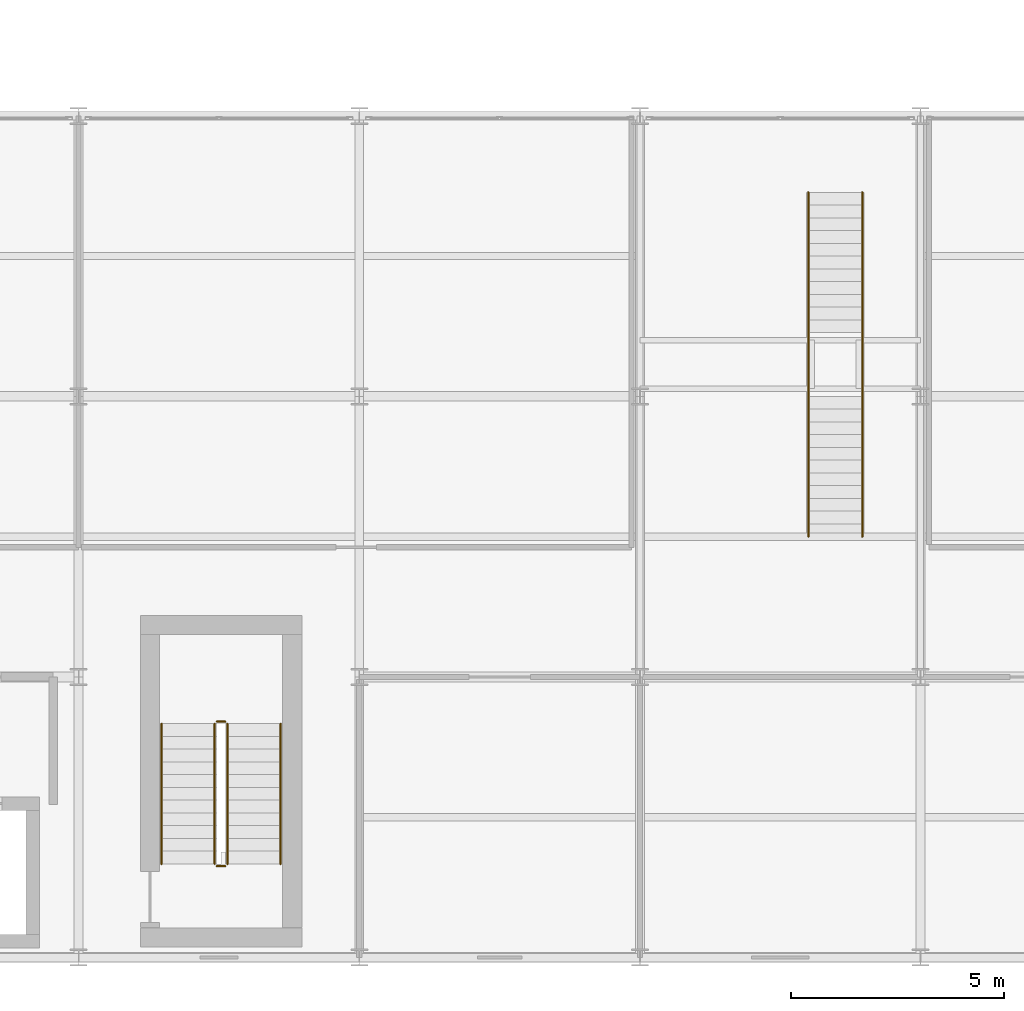
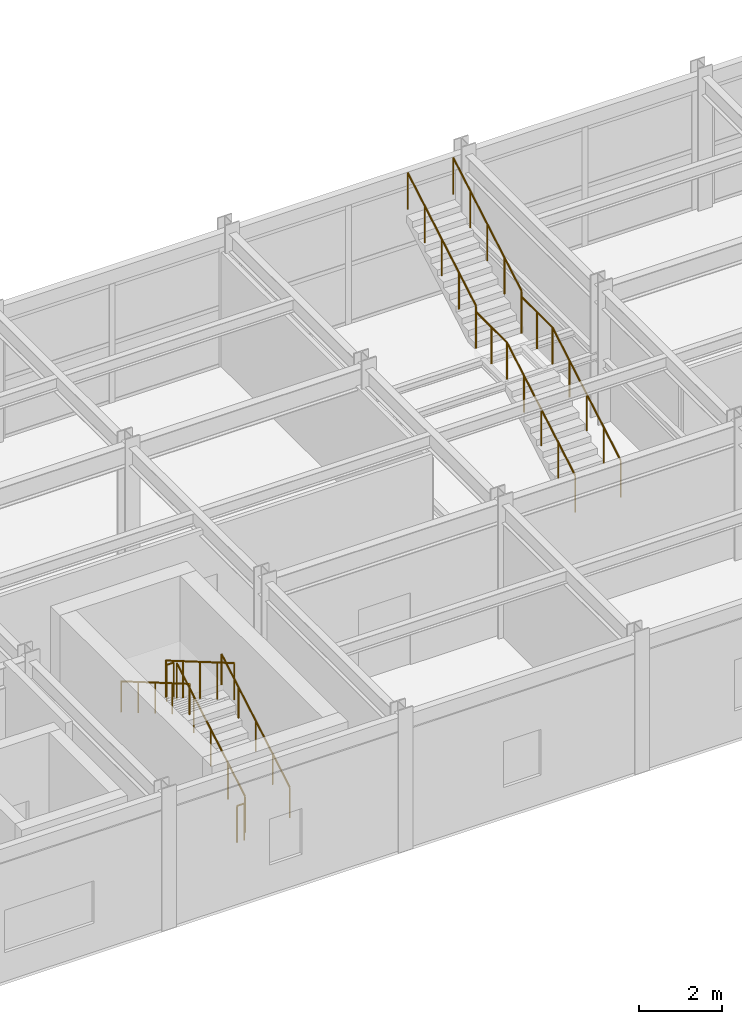
# One storey, part 156 of 157: 12 railings.
"""IFC4 building model written with IfcOpenShell, lengths in metres."""

from ifc_helpers import new_model, si_unit, direction, frame, origin, origin_2d, place, context, subcontext, project, spatial, circle, extrude, material, type_object, element, save


model = new_model("IFC4")

# Units and contexts
model_context = context("Model", 3, precision=1e-05, world=origin(), true_north=direction((0.0, 1.0)))
body_context = subcontext(model_context, "Body", "Model", "MODEL_VIEW")
ifc_project = project(units=[si_unit("LENGTHUNIT", "METRE"), si_unit("AREAUNIT", "SQUARE_METRE"), si_unit("VOLUMEUNIT", "CUBIC_METRE"), si_unit("PLANEANGLEUNIT", "RADIAN"), si_unit("MASSUNIT", "GRAM", prefix="KILO")], contexts=[model_context])

# Site, building, storey
site_placement = place(None, origin())
site = spatial("IfcSite", under=ifc_project, at=site_placement, CompositionType="ELEMENT")
building_placement = place(site_placement, origin())
building = spatial("IfcBuilding", under=site, at=building_placement, Name="Karori Crest Natural Sciences Institute", CompositionType="ELEMENT")
storey_placement = place(building_placement, frame((0.0, 0.0, 13.300048828125)))
storey = spatial("IfcBuildingStorey", under=building, at=storey_placement, Name="L03", CompositionType="ELEMENT", Elevation=13.300048828125)

# Railings
ifc_material_1 = material(Name="Stainless steel 316 tubular handrail", Category="steel")
railing_type_1 = type_object("IfcRailingType", Name="RLT-HND", PredefinedType="HANDRAIL", material=ifc_material_1)
railing_1_placement = place(storey_placement, frame((134.75, 3.0, 0.175048828125)))
element("IfcRailing", 1, at=railing_1_placement, inside=storey, type_object=railing_type_1, Name="Stair handrail RL-0188", PredefinedType="HANDRAIL", context=body_context, shape_type="SweptSolid", body=[
    extrude(circle(Radius=0.02392578125, at=origin_2d()), frame((0.0, 0.0, 0.90087890625), z_axis=(0.0, 0.863804395585, 0.503827317807), x_axis=(-1.0, 0.0, 0.0)), (0.0, 0.0, 1.0), 3.8203125),
    extrude(circle(Radius=0.02099609375, at=origin_2d()), origin(), (0.0, 0.0, 1.0), 0.876953125),
    extrude(circle(Radius=0.02099609375, at=origin_2d()), frame((0.0, 0.824951171875, 0.481201171875)), (0.0, 0.0, 1.0), 0.876953125),
    extrude(circle(Radius=0.02099609375, at=origin_2d()), frame((0.0, 1.64990234375, 0.96240234375)), (0.0, 0.0, 1.0), 0.876953125),
    extrude(circle(Radius=0.02099609375, at=origin_2d()), frame((0.0, 2.47509765625, 1.443603515625)), (0.0, 0.0, 1.0), 0.876953125),
    extrude(circle(Radius=0.02099609375, at=origin_2d()), frame((0.0, 3.300048828125, 1.9248046875)), (0.0, 0.0, 1.0), 0.876953125),
])
railing_2_placement = place(storey_placement, frame((131.949951171875, 6.300048828125, 2.27490234375)))
element("IfcRailing", 2, at=railing_2_placement, inside=storey, type_object=railing_type_1, Name="Stair handrail RL-0189", PredefinedType="HANDRAIL", context=body_context, shape_type="SweptSolid", body=[
    extrude(circle(Radius=0.02392578125, at=origin_2d()), frame((0.0, 0.0, 0.90087890625), z_axis=(0.0, -0.863776583165, 0.503874998761), x_axis=(1.0, 0.0, 0.0)), (0.0, 0.0, 1.0), 3.820556640625),
    extrude(circle(Radius=0.02099609375, at=origin_2d()), origin(), (0.0, 0.0, 1.0), 0.876953125),
    extrude(circle(Radius=0.02099609375, at=origin_2d()), frame((0.0, -0.824951171875, 0.481201171875)), (0.0, 0.0, 1.0), 0.876953125),
    extrude(circle(Radius=0.02099609375, at=origin_2d()), frame((0.0, -1.64990234375, 0.96240234375)), (0.0, 0.0, 1.0), 0.876953125),
    extrude(circle(Radius=0.02099609375, at=origin_2d()), frame((0.0, -2.47509765625, 1.44384765625)), (0.0, 0.0, 1.0), 0.876953125),
    extrude(circle(Radius=0.02099609375, at=origin_2d()), frame((0.0, -3.300048828125, 1.925048828125)), (0.0, 0.0, 1.0), 0.876953125),
])
ifc_material_2 = material(Name="Stainless steel 316 stair guard", Category="steel")
railing_type_2 = type_object("IfcRailingType", Name="RLT-STG", PredefinedType="GUARDRAIL", material=ifc_material_2)
railing_3_placement = place(storey_placement, frame((133.5, 3.0, 0.175048828125)))
element("IfcRailing", 3, at=railing_3_placement, inside=storey, type_object=railing_type_2, Name="Stair guard RL-0184", PredefinedType="GUARDRAIL", context=body_context, shape_type="SweptSolid", body=[
    extrude(circle(Radius=0.02392578125, at=origin_2d()), frame((0.0, 0.0, 1.076171875), z_axis=(0.0, 0.863804395585, 0.503827317807), x_axis=(-1.0, 0.0, 0.0)), (0.0, 0.0, 1.0), 3.8203125),
    extrude(circle(Radius=0.02099609375, at=origin_2d()), origin(), (0.0, 0.0, 1.0), 1.052001953125),
    extrude(circle(Radius=0.02099609375, at=origin_2d()), frame((0.0, 0.824951171875, 0.481201171875)), (0.0, 0.0, 1.0), 1.052001953125),
    extrude(circle(Radius=0.02099609375, at=origin_2d()), frame((0.0, 1.64990234375, 0.96240234375)), (0.0, 0.0, 1.0), 1.052001953125),
    extrude(circle(Radius=0.02099609375, at=origin_2d()), frame((0.0, 2.47509765625, 1.443603515625)), (0.0, 0.0, 1.0), 1.052001953125),
    extrude(circle(Radius=0.02099609375, at=origin_2d()), frame((0.0, 3.300048828125, 1.9248046875)), (0.0, 0.0, 1.0), 1.052001953125),
])
railing_4_placement = place(storey_placement, frame((133.449951171875, 6.35009765625, 2.099853515625)))
element("IfcRailing", 4, at=railing_4_placement, inside=storey, type_object=railing_type_2, Name="Stair guard RL-0185", PredefinedType="GUARDRAIL", context=body_context, shape_type="SweptSolid", body=[
    extrude(circle(Radius=0.02392578125, at=origin_2d()), frame((0.0, 0.0, 1.076171875), z_axis=(-1.0, 0.0, 0.0), x_axis=(0.0, -1.0, 0.0)), (0.0, 0.0, 1.0), 0.199951171875),
    extrude(circle(Radius=0.02099609375, at=origin_2d()), origin(), (0.0, 0.0, 1.0), 1.052001953125),
    extrude(circle(Radius=0.02099609375, at=origin_2d()), frame((-0.199951171875, 0.0, 0.0)), (0.0, 0.0, 1.0), 1.052001953125),
])
railing_5_placement = place(storey_placement, frame((133.199951171875, 6.300048828125, 2.27490234375)))
element("IfcRailing", 5, at=railing_5_placement, inside=storey, type_object=railing_type_2, Name="Stair guard RL-0186", PredefinedType="GUARDRAIL", context=body_context, shape_type="SweptSolid", body=[
    extrude(circle(Radius=0.02392578125, at=origin_2d()), frame((0.0, 0.0, 1.076171875), z_axis=(0.0, -0.863776583165, 0.503874998761), x_axis=(1.0, 0.0, 0.0)), (0.0, 0.0, 1.0), 3.820556640625),
    extrude(circle(Radius=0.02099609375, at=origin_2d()), origin(), (0.0, 0.0, 1.0), 1.052001953125),
    extrude(circle(Radius=0.02099609375, at=origin_2d()), frame((0.0, -0.824951171875, 0.481201171875)), (0.0, 0.0, 1.0), 1.052001953125),
    extrude(circle(Radius=0.02099609375, at=origin_2d()), frame((0.0, -1.64990234375, 0.96240234375)), (0.0, 0.0, 1.0), 1.052001953125),
    extrude(circle(Radius=0.02099609375, at=origin_2d()), frame((0.0, -2.47509765625, 1.44384765625)), (0.0, 0.0, 1.0), 1.052001953125),
    extrude(circle(Radius=0.02099609375, at=origin_2d()), frame((0.0, -3.300048828125, 1.925048828125)), (0.0, 0.0, 1.0), 1.052001953125),
])
railing_6_placement = place(storey_placement, frame((133.449951171875, 2.949951171875, 0.0)))
element("IfcRailing", 6, at=railing_6_placement, inside=storey, type_object=railing_type_2, Name="Stair guard RL-0187", PredefinedType="GUARDRAIL", context=body_context, shape_type="SweptSolid", body=[
    extrude(circle(Radius=0.02392578125, at=origin_2d()), frame((0.0, 0.0, 1.076171875), z_axis=(-1.0, 0.0, 0.0), x_axis=(0.0, -1.0, 0.0)), (0.0, 0.0, 1.0), 0.199951171875),
    extrude(circle(Radius=0.02099609375, at=origin_2d()), origin(), (0.0, 0.0, 1.0), 1.052001953125),
    extrude(circle(Radius=0.02099609375, at=origin_2d()), frame((-0.199951171875, 0.0, 0.0)), (0.0, 0.0, 1.0), 1.052001953125),
])
railing_7_placement = place(storey_placement, frame((147.1650390625, 10.699951171875, 0.175048828125)))
element("IfcRailing", 7, at=railing_7_placement, inside=storey, type_object=railing_type_2, Name="Feature stair guard RL-0435", PredefinedType="GUARDRAIL", context=body_context, shape_type="SweptSolid", body=[
    extrude(circle(Radius=0.02392578125, at=origin_2d()), frame((0.0, 0.0, 1.076171875), z_axis=(0.0, 0.863804395585, 0.503827317807), x_axis=(-1.0, 0.0, 0.0)), (0.0, 0.0, 1.0), 3.8203125),
    extrude(circle(Radius=0.02099609375, at=origin_2d()), origin(), (0.0, 0.0, 1.0), 1.052001953125),
    extrude(circle(Radius=0.02099609375, at=origin_2d()), frame((0.0, 0.824951171875, 0.481201171875)), (0.0, 0.0, 1.0), 1.052001953125),
    extrude(circle(Radius=0.02099609375, at=origin_2d()), frame((0.0, 1.64990234375, 0.96240234375)), (0.0, 0.0, 1.0), 1.052001953125),
    extrude(circle(Radius=0.02099609375, at=origin_2d()), frame((0.0, 2.47509765625, 1.443603515625)), (0.0, 0.0, 1.0), 1.052001953125),
    extrude(circle(Radius=0.02099609375, at=origin_2d()), frame((0.0, 3.300048828125, 1.9248046875)), (0.0, 0.0, 1.0), 1.052001953125),
])
railing_8_placement = place(storey_placement, frame((147.1650390625, 14.0, 2.099853515625)))
element("IfcRailing", 8, at=railing_8_placement, inside=storey, type_object=railing_type_2, Name="Feature stair guard RL-0436", PredefinedType="GUARDRAIL", context=body_context, shape_type="SweptSolid", body=[
    extrude(circle(Radius=0.02392578125, at=origin_2d()), frame((0.0, 0.0, 1.076171875), z_axis=(0.0, 1.0, 0.0), x_axis=(-1.0, 0.0, 0.0)), (0.0, 0.0, 1.0), 1.5),
    extrude(circle(Radius=0.02099609375, at=origin_2d()), origin(), (0.0, 0.0, 1.0), 1.052001953125),
    extrude(circle(Radius=0.02099609375, at=origin_2d()), frame((0.0, 0.75, 0.0)), (0.0, 0.0, 1.0), 1.052001953125),
    extrude(circle(Radius=0.02099609375, at=origin_2d()), frame((0.0, 1.5, 0.0)), (0.0, 0.0, 1.0), 1.052001953125),
])
railing_9_placement = place(storey_placement, frame((147.1650390625, 15.5, 2.27490234375)))
element("IfcRailing", 9, at=railing_9_placement, inside=storey, type_object=railing_type_2, Name="Feature stair guard RL-0437", PredefinedType="GUARDRAIL", context=body_context, shape_type="SweptSolid", body=[
    extrude(circle(Radius=0.02392578125, at=origin_2d()), frame((0.0, 0.0, 1.076171875), z_axis=(0.0, 0.863776583165, 0.503874998761), x_axis=(-1.0, 0.0, 0.0)), (0.0, 0.0, 1.0), 3.820556640625),
    extrude(circle(Radius=0.02099609375, at=origin_2d()), origin(), (0.0, 0.0, 1.0), 1.052001953125),
    extrude(circle(Radius=0.02099609375, at=origin_2d()), frame((0.0, 0.824951171875, 0.481201171875)), (0.0, 0.0, 1.0), 1.052001953125),
    extrude(circle(Radius=0.02099609375, at=origin_2d()), frame((0.0, 1.64990234375, 0.96240234375)), (0.0, 0.0, 1.0), 1.052001953125),
    extrude(circle(Radius=0.02099609375, at=origin_2d()), frame((0.0, 2.47509765625, 1.44384765625)), (0.0, 0.0, 1.0), 1.052001953125),
    extrude(circle(Radius=0.02099609375, at=origin_2d()), frame((0.0, 3.300048828125, 1.925048828125)), (0.0, 0.0, 1.0), 1.052001953125),
])
railing_10_placement = place(storey_placement, frame((148.43505859375, 10.699951171875, 0.175048828125)))
element("IfcRailing", 10, at=railing_10_placement, inside=storey, type_object=railing_type_2, Name="Feature stair guard RL-0438", PredefinedType="GUARDRAIL", context=body_context, shape_type="SweptSolid", body=[
    extrude(circle(Radius=0.02392578125, at=origin_2d()), frame((0.0, 0.0, 1.076171875), z_axis=(0.0, 0.863804395585, 0.503827317807), x_axis=(-1.0, 0.0, 0.0)), (0.0, 0.0, 1.0), 3.8203125),
    extrude(circle(Radius=0.02099609375, at=origin_2d()), origin(), (0.0, 0.0, 1.0), 1.052001953125),
    extrude(circle(Radius=0.02099609375, at=origin_2d()), frame((0.0, 0.824951171875, 0.481201171875)), (0.0, 0.0, 1.0), 1.052001953125),
    extrude(circle(Radius=0.02099609375, at=origin_2d()), frame((0.0, 1.64990234375, 0.96240234375)), (0.0, 0.0, 1.0), 1.052001953125),
    extrude(circle(Radius=0.02099609375, at=origin_2d()), frame((0.0, 2.47509765625, 1.443603515625)), (0.0, 0.0, 1.0), 1.052001953125),
    extrude(circle(Radius=0.02099609375, at=origin_2d()), frame((0.0, 3.300048828125, 1.9248046875)), (0.0, 0.0, 1.0), 1.052001953125),
])
railing_11_placement = place(storey_placement, frame((148.43505859375, 14.0, 2.099853515625)))
element("IfcRailing", 11, at=railing_11_placement, inside=storey, type_object=railing_type_2, Name="Feature stair guard RL-0439", PredefinedType="GUARDRAIL", context=body_context, shape_type="SweptSolid", body=[
    extrude(circle(Radius=0.02392578125, at=origin_2d()), frame((0.0, 0.0, 1.076171875), z_axis=(0.0, 1.0, 0.0), x_axis=(-1.0, 0.0, 0.0)), (0.0, 0.0, 1.0), 1.5),
    extrude(circle(Radius=0.02099609375, at=origin_2d()), origin(), (0.0, 0.0, 1.0), 1.052001953125),
    extrude(circle(Radius=0.02099609375, at=origin_2d()), frame((0.0, 0.75, 0.0)), (0.0, 0.0, 1.0), 1.052001953125),
    extrude(circle(Radius=0.02099609375, at=origin_2d()), frame((0.0, 1.5, 0.0)), (0.0, 0.0, 1.0), 1.052001953125),
])
railing_12_placement = place(storey_placement, frame((148.43505859375, 15.5, 2.27490234375)))
element("IfcRailing", 12, at=railing_12_placement, inside=storey, type_object=railing_type_2, Name="Feature stair guard RL-0440", PredefinedType="GUARDRAIL", context=body_context, shape_type="SweptSolid", body=[
    extrude(circle(Radius=0.02392578125, at=origin_2d()), frame((0.0, 0.0, 1.076171875), z_axis=(0.0, 0.863776583165, 0.503874998761), x_axis=(-1.0, 0.0, 0.0)), (0.0, 0.0, 1.0), 3.820556640625),
    extrude(circle(Radius=0.02099609375, at=origin_2d()), origin(), (0.0, 0.0, 1.0), 1.052001953125),
    extrude(circle(Radius=0.02099609375, at=origin_2d()), frame((0.0, 0.824951171875, 0.481201171875)), (0.0, 0.0, 1.0), 1.052001953125),
    extrude(circle(Radius=0.02099609375, at=origin_2d()), frame((0.0, 1.64990234375, 0.96240234375)), (0.0, 0.0, 1.0), 1.052001953125),
    extrude(circle(Radius=0.02099609375, at=origin_2d()), frame((0.0, 2.47509765625, 1.44384765625)), (0.0, 0.0, 1.0), 1.052001953125),
    extrude(circle(Radius=0.02099609375, at=origin_2d()), frame((0.0, 3.300048828125, 1.925048828125)), (0.0, 0.0, 1.0), 1.052001953125),
])

save(model, "model.ifc")
